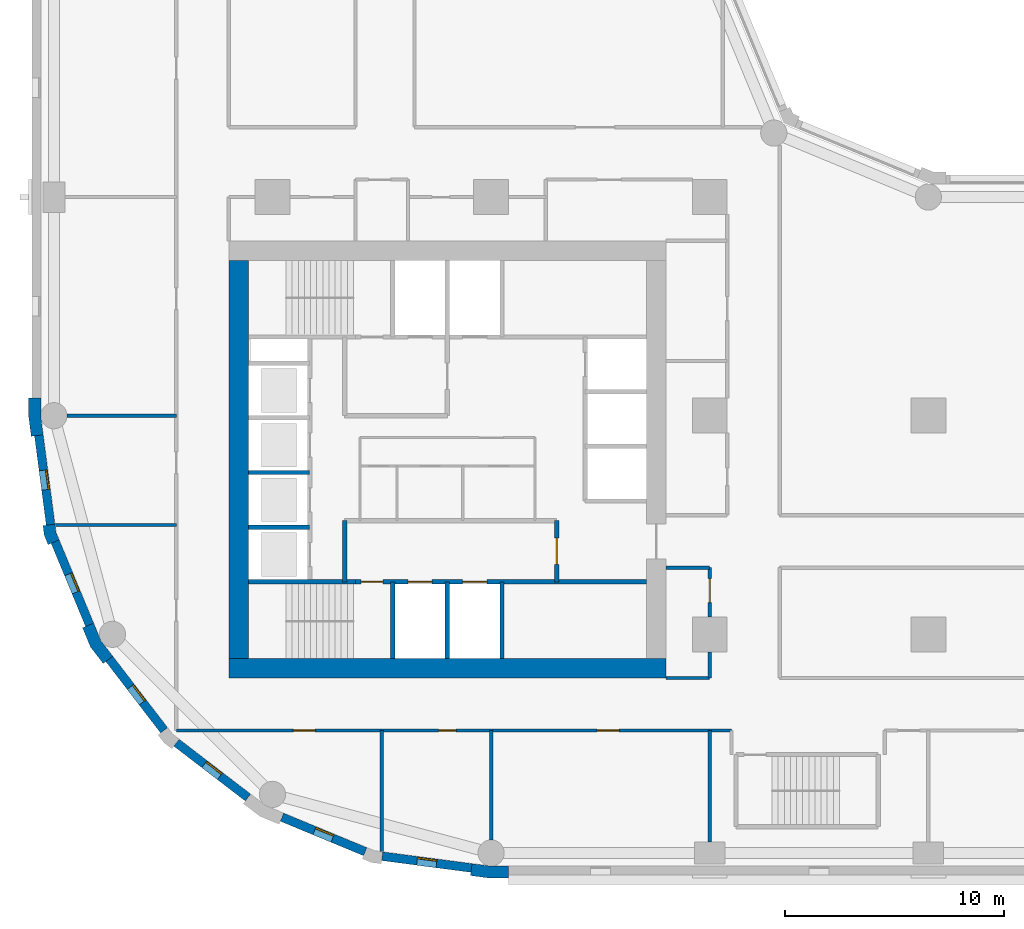
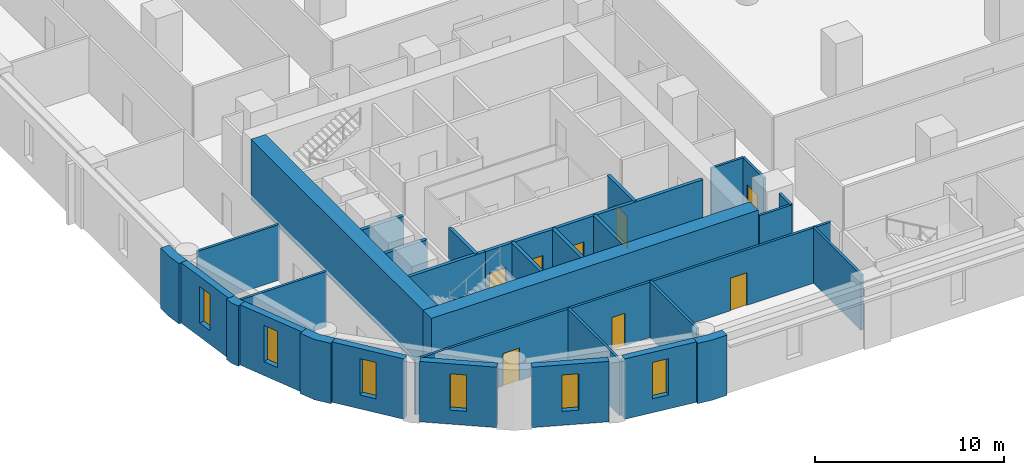
# One storey, part 2 of 10: 31 walls, 8 doors, 6 windows, 14 openings.
"""IFC4 building model written with IfcOpenShell, lengths in metres."""

from ifc_helpers import new_model, si_unit, direction, frame, frame_2d, origin, place, context, subcontext, project, spatial, polyline, rectangle, outline, extrude, material, layer, layer_set, type_object, element, fill, save


model = new_model("IFC4")

# Units and contexts
model_context = context("Model", 3, precision=1e-05, world=origin(), true_north=direction((0.0, 1.0)))
body_context = subcontext(model_context, "Body", "Model", "MODEL_VIEW")
ifc_project = project(units=[si_unit("LENGTHUNIT", "METRE"), si_unit("AREAUNIT", "SQUARE_METRE"), si_unit("VOLUMEUNIT", "CUBIC_METRE"), si_unit("PLANEANGLEUNIT", "RADIAN"), si_unit("MASSUNIT", "GRAM", prefix="KILO")], contexts=[model_context])

# Site, building, storey
site_placement = place(None, origin())
site = spatial("IfcSite", under=ifc_project, at=site_placement, CompositionType="ELEMENT")
building_placement = place(site_placement, origin())
building = spatial("IfcBuilding", under=site, at=building_placement, Name="Qaws Garden Tower", CompositionType="ELEMENT")
storey_placement = place(building_placement, frame((0.0, 0.0, 54.89990234375)))
storey = spatial("IfcBuildingStorey", under=building, at=storey_placement, Name="L13", CompositionType="ELEMENT", Elevation=54.89990234375)

# Wall, opening, window
ifc_material_1 = material(Name="Clay facing brick masonry", Category="masonry")
ifc_layer_1 = layer(ifc_material_1, 0.39990234375)
ifc_layer_set_1 = layer_set([ifc_layer_1], Name="Clay facing brick masonry")
wall_type_1 = type_object("IfcWallType", Name="Brick infill wall 400", PredefinedType="SOLIDWALL", material=ifc_layer_set_1)
wall_1_placement = place(storey_placement, frame((-0.688720703125, 19.102294921875, 0.0), z_axis=(0.0, 0.0, 1.0), x_axis=(0.130514280502, -0.991446429508, 0.0)))
wall_1 = element("IfcWall", 1, at=wall_1_placement, inside=storey, type_object=wall_type_1, Name="E-L13-infill-27", PredefinedType="SOLIDWALL", context=body_context, shape_type="SweptSolid", body=[
    extrude(rectangle(XDim=4.120849609375, YDim=0.39990234375, at=frame_2d((2.060546875, 0.0))), origin(), (0.0, 0.0, 1.0), 3.900146484375),
])
opening_1_placement = place(wall_1_placement, frame((1.610595703125, 0.0, 0.89990234375)))
opening_1 = element("IfcOpeningElement", 2, at=opening_1_placement, cuts=wall_1, Name="Opening W09", PredefinedType="OPENING", context=body_context, shape_type="SweptSolid", body=[
    extrude(rectangle(XDim=0.89990234375, YDim=2.35009765625, at=frame_2d((0.449951171875, 1.175048828125))), frame((0.0, 0.2099609375, 0.0), z_axis=(0.0, -1.0, 0.0), x_axis=(1.0, 0.0, 0.0)), (0.0, 0.0, 1.0), 0.419921875),
])
ifc_material_2 = material(Name="Aluminium framed window, clear glazing", Category="aluminium")
window_type = type_object("IfcWindowType", Name="Slit window 900 x 2350", PartitioningType="SINGLE_PANEL", PredefinedType="WINDOW", material=ifc_material_2)
window_1_placement = place(opening_1_placement, origin())
window_1 = element("IfcWindow", 3, at=window_1_placement, inside=storey, type_object=window_type, Name="E-L13-window-27-0", OverallHeight=2.35009765625, OverallWidth=0.89990234375, PartitioningType="SINGLE_PANEL", PredefinedType="WINDOW", context=body_context, shape_type="SweptSolid", body=[
    extrude(rectangle(XDim=0.89990234375, YDim=2.35009765625, at=frame_2d((0.449951171875, 1.175048828125))), frame((0.0, 0.159912109375, 0.0), z_axis=(0.0, -1.0, 0.0), x_axis=(1.0, 0.0, 0.0)), (0.0, 0.0, 1.0), 0.06005859375),
])
fill(opening_1, window_1)

wall_2_placement = place(storey_placement, frame((0.05712890625, 14.240234375, 0.0), z_axis=(0.0, 0.0, 1.0), x_axis=(0.382721546029, -0.923863744394, 0.0)))
wall_2 = element("IfcWall", 4, at=wall_2_placement, inside=storey, type_object=wall_type_1, Name="E-L13-infill-28", PredefinedType="SOLIDWALL", context=body_context, shape_type="SweptSolid", body=[
    extrude(rectangle(XDim=4.120849609375, YDim=0.39990234375, at=frame_2d((2.060546875, 0.0))), origin(), (0.0, 0.0, 1.0), 3.900146484375),
])
opening_2_placement = place(wall_2_placement, frame((1.610595703125, 0.0, 0.89990234375)))
opening_2 = element("IfcOpeningElement", 5, at=opening_2_placement, cuts=wall_2, Name="Opening W09", PredefinedType="OPENING", context=body_context, shape_type="SweptSolid", body=[
    extrude(rectangle(XDim=0.89990234375, YDim=2.35009765625, at=frame_2d((0.449951171875, 1.175048828125))), frame((0.0, 0.2099609375, 0.0), z_axis=(0.0, -1.0, 0.0), x_axis=(1.0, 0.0, 0.0)), (0.0, 0.0, 1.0), 0.419921875),
])
window_2_placement = place(opening_2_placement, origin())
window_2 = element("IfcWindow", 6, at=window_2_placement, inside=storey, type_object=window_type, Name="E-L13-window-28-0", OverallHeight=2.35009765625, OverallWidth=0.89990234375, PartitioningType="SINGLE_PANEL", PredefinedType="WINDOW", context=body_context, shape_type="SweptSolid", body=[
    extrude(rectangle(XDim=0.89990234375, YDim=2.35009765625, at=frame_2d((0.449951171875, 1.175048828125))), frame((0.0, 0.159912109375, 0.0), z_axis=(0.0, -1.0, 0.0), x_axis=(1.0, 0.0, 0.0)), (0.0, 0.0, 1.0), 0.06005859375),
])
fill(opening_2, window_2)

wall_3_placement = place(storey_placement, frame((2.53173828125, 8.87841796875, 0.0), z_axis=(0.0, 0.0, 1.0), x_axis=(0.608759824817, -0.793354571229, 0.0)))
wall_3 = element("IfcWall", 7, at=wall_3_placement, inside=storey, type_object=wall_type_1, Name="E-L13-infill-29", PredefinedType="SOLIDWALL", context=body_context, shape_type="SweptSolid", body=[
    extrude(rectangle(XDim=4.12109375, YDim=0.39990234375, at=frame_2d((2.060546875, 0.0))), origin(), (0.0, 0.0, 1.0), 3.900146484375),
])
opening_3_placement = place(wall_3_placement, frame((1.610595703125, 0.0, 0.89990234375)))
opening_3 = element("IfcOpeningElement", 8, at=opening_3_placement, cuts=wall_3, Name="Opening W09", PredefinedType="OPENING", context=body_context, shape_type="SweptSolid", body=[
    extrude(rectangle(XDim=0.89990234375, YDim=2.35009765625, at=frame_2d((0.449951171875, 1.175048828125))), frame((0.0, 0.2099609375, 0.0), z_axis=(0.0, -1.0, 0.0), x_axis=(1.0, 0.0, 0.0)), (0.0, 0.0, 1.0), 0.419921875),
])
window_3_placement = place(opening_3_placement, origin())
window_3 = element("IfcWindow", 9, at=window_3_placement, inside=storey, type_object=window_type, Name="E-L13-window-29-0", OverallHeight=2.35009765625, OverallWidth=0.89990234375, PartitioningType="SINGLE_PANEL", PredefinedType="WINDOW", context=body_context, shape_type="SweptSolid", body=[
    extrude(rectangle(XDim=0.89990234375, YDim=2.35009765625, at=frame_2d((0.449951171875, 1.175048828125))), frame((0.0, 0.159912109375, 0.0), z_axis=(0.0, -1.0, 0.0), x_axis=(1.0, 0.0, 0.0)), (0.0, 0.0, 1.0), 0.06005859375),
])
fill(opening_3, window_3)

wall_4_placement = place(storey_placement, frame((5.60888671875, 5.04052734375, 0.0), z_axis=(0.0, 0.0, 1.0), x_axis=(0.793354571229, -0.608759824817, 0.0)))
wall_4 = element("IfcWall", 10, at=wall_4_placement, inside=storey, type_object=wall_type_1, Name="E-L13-infill-30", PredefinedType="SOLIDWALL", context=body_context, shape_type="SweptSolid", body=[
    extrude(rectangle(XDim=4.12109375, YDim=0.39990234375, at=frame_2d((2.060546875, 0.0))), origin(), (0.0, 0.0, 1.0), 3.900146484375),
])
opening_4_placement = place(wall_4_placement, frame((1.610595703125, 0.0, 0.89990234375)))
opening_4 = element("IfcOpeningElement", 11, at=opening_4_placement, cuts=wall_4, Name="Opening W09", PredefinedType="OPENING", context=body_context, shape_type="SweptSolid", body=[
    extrude(rectangle(XDim=0.89990234375, YDim=2.35009765625, at=frame_2d((0.449951171875, 1.175048828125))), frame((0.0, 0.2099609375, 0.0), z_axis=(0.0, -1.0, 0.0), x_axis=(1.0, 0.0, 0.0)), (0.0, 0.0, 1.0), 0.419921875),
])
window_4_placement = place(opening_4_placement, origin())
window_4 = element("IfcWindow", 12, at=window_4_placement, inside=storey, type_object=window_type, Name="E-L13-window-30-0", OverallHeight=2.35009765625, OverallWidth=0.89990234375, PartitioningType="SINGLE_PANEL", PredefinedType="WINDOW", context=body_context, shape_type="SweptSolid", body=[
    extrude(rectangle(XDim=0.89990234375, YDim=2.35009765625, at=frame_2d((0.449951171875, 1.175048828125))), frame((0.0, 0.159912109375, 0.0), z_axis=(0.0, -1.0, 0.0), x_axis=(1.0, 0.0, 0.0)), (0.0, 0.0, 1.0), 0.06005859375),
])
fill(opening_4, window_4)

wall_5_placement = place(storey_placement, frame((10.43310546875, 1.63427734375, 0.0), z_axis=(0.0, 0.0, 1.0), x_axis=(0.923863744394, -0.382721546029, 0.0)))
wall_5 = element("IfcWall", 13, at=wall_5_placement, inside=storey, type_object=wall_type_1, Name="E-L13-infill-31", PredefinedType="SOLIDWALL", context=body_context, shape_type="SweptSolid", body=[
    extrude(rectangle(XDim=4.120849609375, YDim=0.39990234375, at=frame_2d((2.060546875, 0.0))), origin(), (0.0, 0.0, 1.0), 3.900146484375),
])
opening_5_placement = place(wall_5_placement, frame((1.610595703125, 0.0, 0.89990234375)))
opening_5 = element("IfcOpeningElement", 14, at=opening_5_placement, cuts=wall_5, Name="Opening W09", PredefinedType="OPENING", context=body_context, shape_type="SweptSolid", body=[
    extrude(rectangle(XDim=0.89990234375, YDim=2.35009765625, at=frame_2d((0.449951171875, 1.175048828125))), frame((0.0, 0.2099609375, 0.0), z_axis=(0.0, -1.0, 0.0), x_axis=(1.0, 0.0, 0.0)), (0.0, 0.0, 1.0), 0.419921875),
])
window_5_placement = place(opening_5_placement, origin())
window_5 = element("IfcWindow", 15, at=window_5_placement, inside=storey, type_object=window_type, Name="E-L13-window-31-0", OverallHeight=2.35009765625, OverallWidth=0.89990234375, PartitioningType="SINGLE_PANEL", PredefinedType="WINDOW", context=body_context, shape_type="SweptSolid", body=[
    extrude(rectangle(XDim=0.89990234375, YDim=2.35009765625, at=frame_2d((0.449951171875, 1.175048828125))), frame((0.0, 0.159912109375, 0.0), z_axis=(0.0, -1.0, 0.0), x_axis=(1.0, 0.0, 0.0)), (0.0, 0.0, 1.0), 0.06005859375),
])
fill(opening_5, window_5)

wall_6_placement = place(storey_placement, frame((15.0166015625, -0.15087890625, 0.0), z_axis=(0.0, 0.0, 1.0), x_axis=(0.991446429508, -0.130514280502, 0.0)))
wall_6 = element("IfcWall", 16, at=wall_6_placement, inside=storey, type_object=wall_type_1, Name="E-L13-infill-32", PredefinedType="SOLIDWALL", context=body_context, shape_type="SweptSolid", body=[
    extrude(rectangle(XDim=4.120849609375, YDim=0.39990234375, at=frame_2d((2.060546875, 0.0))), origin(), (0.0, 0.0, 1.0), 3.900146484375),
])
opening_6_placement = place(wall_6_placement, frame((1.610595703125, 0.0, 0.89990234375)))
opening_6 = element("IfcOpeningElement", 17, at=opening_6_placement, cuts=wall_6, Name="Opening W09", PredefinedType="OPENING", context=body_context, shape_type="SweptSolid", body=[
    extrude(rectangle(XDim=0.89990234375, YDim=2.35009765625, at=frame_2d((0.449951171875, 1.175048828125))), frame((0.0, 0.2099609375, 0.0), z_axis=(0.0, -1.0, 0.0), x_axis=(1.0, 0.0, 0.0)), (0.0, 0.0, 1.0), 0.419921875),
])
window_6_placement = place(opening_6_placement, origin())
window_6 = element("IfcWindow", 18, at=window_6_placement, inside=storey, type_object=window_type, Name="E-L13-window-32-0", OverallHeight=2.35009765625, OverallWidth=0.89990234375, PartitioningType="SINGLE_PANEL", PredefinedType="WINDOW", context=body_context, shape_type="SweptSolid", body=[
    extrude(rectangle(XDim=0.89990234375, YDim=2.35009765625, at=frame_2d((0.449951171875, 1.175048828125))), frame((0.0, 0.159912109375, 0.0), z_axis=(0.0, -1.0, 0.0), x_axis=(1.0, 0.0, 0.0)), (0.0, 0.0, 1.0), 0.06005859375),
])
fill(opening_6, window_6)

# Walls
ifc_material_3 = material(Name="Clay facing brick masonry", Category="masonry")
ifc_layer_2 = layer(ifc_material_3, 0.550048828125)
ifc_layer_set_2 = layer_set([ifc_layer_2], Name="Clay facing brick masonry")
wall_type_2 = type_object("IfcWallType", Name="Brick kink pier 550 x 600", PredefinedType="SOLIDWALL", material=ifc_layer_set_2)
placement = place(storey_placement, origin())
element("IfcWall", 19, at=placement, inside=storey, type_object=wall_type_2, Name="E-L13-pier-28", PredefinedType="SOLIDWALL", context=body_context, shape_type="SweptSolid", body=[
    extrude(outline(polyline([(-0.34912109375, 14.990478515625), (-0.497802734375, 14.970947265625), (-0.43896484375, 14.5234375), (-0.26611328125, 14.1064453125), (-0.127685546875, 14.163818359375), (0.241943359375, 14.31689453125), (0.096923828125, 14.6669921875), (0.04736328125, 15.042724609375), (-0.34912109375, 14.990478515625)])), origin(), (0.0, 0.0, 1.0), 3.900146484375),
])
ifc_material_4 = material(Name="Clay facing brick masonry", Category="masonry")
ifc_layer_3 = layer(ifc_material_4, 0.550048828125)
ifc_layer_set_3 = layer_set([ifc_layer_3], Name="Clay facing brick masonry")
wall_type_3 = type_object("IfcWallType", Name="Brick pier 550 x 1600", PredefinedType="SOLIDWALL", material=ifc_layer_set_3)
element("IfcWall", 20, at=placement, inside=storey, type_object=wall_type_3, Name="E-L13-pier-00", PredefinedType="SOLIDWALL", context=body_context, shape_type="SweptSolid", body=[
    extrude(outline(polyline([(19.076416015625, -0.886962890625), (19.056640625, -1.03564453125), (19.924560546875, -1.14990234375), (20.800048828125, -1.14990234375), (20.800048828125, -1.0), (20.800048828125, -0.60009765625), (19.960693359375, -0.60009765625), (19.12841796875, -0.490478515625), (19.076416015625, -0.886962890625)])), origin(), (0.0, 0.0, 1.0), 3.900146484375),
])
element("IfcWall", 21, at=placement, inside=storey, type_object=wall_type_3, Name="E-L13-pier-27", PredefinedType="SOLIDWALL", context=body_context, shape_type="SweptSolid", body=[
    extrude(outline(polyline([(-1.0, 20.800048828125), (-1.14990234375, 20.800048828125), (-1.14990234375, 19.924560546875), (-1.03564453125, 19.056640625), (-0.886962890625, 19.076416015625), (-0.490478515625, 19.12841796875), (-0.60009765625, 19.960693359375), (-0.60009765625, 20.800048828125), (-1.0, 20.800048828125)])), origin(), (0.0, 0.0, 1.0), 3.900146484375),
])
element("IfcWall", 22, at=placement, inside=storey, type_object=wall_type_3, Name="E-L13-pier-29", PredefinedType="SOLIDWALL", context=body_context, shape_type="SweptSolid", body=[
    extrude(outline(polyline([(1.449462890625, 10.3564453125), (1.310791015625, 10.299072265625), (1.675048828125, 9.419921875), (2.254150390625, 8.665283203125), (2.373046875, 8.756591796875), (2.6904296875, 9.0), (2.1552734375, 9.697509765625), (1.819091796875, 10.509521484375), (1.449462890625, 10.3564453125)])), origin(), (0.0, 0.0, 1.0), 3.900146484375),
])
ifc_material_5 = material(Name="Concrete C80", Category="concrete")
ifc_layer_4 = layer(ifc_material_5, 0.199951171875)
ifc_layer_set_4 = layer_set([ifc_layer_4], Name="Concrete C80")
wall_type_4 = type_object("IfcWallType", Name="Core shaft wall 200 C80", PredefinedType="SHEAR", material=ifc_layer_set_4)
wall_11_placement = place(storey_placement, frame((8.89990234375, 12.39990234375, 0.0), z_axis=(0.0, 0.0, 1.0), x_axis=(1.0, 0.0, 0.0)))
element("IfcWall", 23, at=wall_11_placement, inside=storey, type_object=wall_type_4, Name="Shaft wall", PredefinedType="SHEAR", context=body_context, shape_type="SweptSolid", body=[
    extrude(rectangle(XDim=4.900146484375, YDim=0.199951171875, at=frame_2d((2.4501953125, 0.0))), origin(), (0.0, 0.0, 1.0), 3.580078125),
])

# Wall, openings, doors
wall_12_placement = place(storey_placement, frame((13.800048828125, 12.39990234375, 0.0), z_axis=(0.0, 0.0, 1.0), x_axis=(1.0, 0.0, 0.0)))
wall_12 = element("IfcWall", 24, at=wall_12_placement, inside=storey, type_object=wall_type_4, Name="Shaft wall", PredefinedType="SHEAR", context=body_context, shape_type="SweptSolid", body=[
    extrude(rectangle(XDim=13.300048828125, YDim=0.199951171875, at=frame_2d((6.64990234375, 0.0))), origin(), (0.0, 0.0, 1.0), 3.580078125),
])
opening_7_placement = place(wall_12_placement, frame((2.39990234375, 0.0, 0.0)))
opening_7 = element("IfcOpeningElement", 25, at=opening_7_placement, cuts=wall_12, Name="Opening LD06", PredefinedType="OPENING", context=body_context, shape_type="SweptSolid", body=[
    extrude(rectangle(XDim=1.10009765625, YDim=2.10009765625, at=frame_2d((0.550048828125, 1.050048828125))), frame((0.0, 0.10986328125, 0.0), z_axis=(0.0, -1.0, 0.0), x_axis=(1.0, 0.0, 0.0)), (0.0, 0.0, 1.0), 0.219970703125),
])
opening_8_placement = place(wall_12_placement, frame((4.89990234375, 0.0, 0.0)))
opening_8 = element("IfcOpeningElement", 26, at=opening_8_placement, cuts=wall_12, Name="Opening LD07", PredefinedType="OPENING", context=body_context, shape_type="SweptSolid", body=[
    extrude(rectangle(XDim=1.10009765625, YDim=2.10009765625, at=frame_2d((0.550048828125, 1.050048828125))), frame((0.0, 0.10986328125, 0.0), z_axis=(0.0, -1.0, 0.0), x_axis=(1.0, 0.0, 0.0)), (0.0, 0.0, 1.0), 0.219970703125),
])
opening_9_placement = place(wall_12_placement, frame((0.25, 0.0, 0.0)))
opening_9 = element("IfcOpeningElement", 27, at=opening_9_placement, cuts=wall_12, Name="Opening SD10", PredefinedType="OPENING", context=body_context, shape_type="SweptSolid", body=[
    extrude(rectangle(XDim=1.0, YDim=2.10009765625, at=frame_2d((0.5, 1.050048828125))), frame((0.0, 0.10986328125, 0.0), z_axis=(0.0, -1.0, 0.0), x_axis=(1.0, 0.0, 0.0)), (0.0, 0.0, 1.0), 0.219970703125),
])
ifc_material_6 = material(Name="Steel S235", Category="steel")
door_type_1 = type_object("IfcDoorType", Name="Landing door 1100x2100", OperationType="DOUBLE_DOOR_SLIDING", PredefinedType="DOOR", material=ifc_material_6)
door_1_placement = place(opening_7_placement, origin())
door_1 = element("IfcDoor", 28, at=door_1_placement, inside=storey, type_object=door_type_1, Name="Lift FF1 landing door", OperationType="DOUBLE_DOOR_SLIDING", OverallHeight=2.10009765625, OverallWidth=1.10009765625, PredefinedType="DOOR", context=body_context, shape_type="SweptSolid", body=[
    extrude(rectangle(XDim=1.10009765625, YDim=2.10009765625, at=frame_2d((0.550048828125, 1.050048828125))), frame((0.0, 0.02490234375, 0.0), z_axis=(0.0, -1.0, 0.0), x_axis=(1.0, 0.0, 0.0)), (0.0, 0.0, 1.0), 0.050048828125),
])
fill(opening_7, door_1)
door_2_placement = place(opening_8_placement, origin())
door_2 = element("IfcDoor", 29, at=door_2_placement, inside=storey, type_object=door_type_1, Name="Lift FF2 landing door", OperationType="DOUBLE_DOOR_SLIDING", OverallHeight=2.10009765625, OverallWidth=1.10009765625, PredefinedType="DOOR", context=body_context, shape_type="SweptSolid", body=[
    extrude(rectangle(XDim=1.10009765625, YDim=2.10009765625, at=frame_2d((0.550048828125, 1.050048828125))), frame((0.0, 0.02490234375, 0.0), z_axis=(0.0, -1.0, 0.0), x_axis=(1.0, 0.0, 0.0)), (0.0, 0.0, 1.0), 0.050048828125),
])
fill(opening_8, door_2)
ifc_material_7 = material(Name="Steel S235", Category="steel")
door_type_2 = type_object("IfcDoorType", Name="Stair door 1000x2100", OperationType="SINGLE_SWING_RIGHT", PredefinedType="DOOR", material=ifc_material_7)
door_3_placement = place(opening_9_placement, frame((1.0, 0.0, 0.0), z_axis=(0.0, 0.0, 1.0), x_axis=(-1.0, 0.0, 0.0)))
door_3 = element("IfcDoor", 30, at=door_3_placement, inside=storey, type_object=door_type_2, Name="Stair 1 door", OperationType="SINGLE_SWING_LEFT", OverallHeight=2.10009765625, OverallWidth=1.0, PredefinedType="DOOR", context=body_context, shape_type="SweptSolid", body=[
    extrude(rectangle(XDim=1.0, YDim=2.10009765625, at=frame_2d((0.5, 1.050048828125))), frame((0.0, 0.02490234375, 0.0), z_axis=(0.0, -1.0, 0.0), x_axis=(1.0, 0.0, 0.0)), (0.0, 0.0, 1.0), 0.050048828125),
])
fill(opening_9, door_3)

# Walls
for number, where, z_axis, x_axis, name in (
    (31, (8.89990234375, 14.89990234375, 0.0), (0.0, 0.0, 1.0), (1.0, 0.0, 0.0), "Shaft wall"),
    (32, (8.89990234375, 17.39990234375, 0.0), (0.0, 0.0, 1.0), (1.0, 0.0, 0.0), "Shaft wall"),
    (33, (13.300048828125, 12.39990234375, 0.0), (0.0, 0.0, 1.0), (0.0, 1.0, 0.0), "Shaft wall"),
):
    element("IfcWall", number, at=place(storey_placement, frame(where, z_axis=z_axis, x_axis=x_axis)), inside=storey, type_object=wall_type_4, Name=name, PredefinedType="SHEAR", context=body_context, shape_type="SweptSolid", body=[
        extrude(rectangle(XDim=2.800048828125, YDim=0.199951171875, at=frame_2d((1.39990234375, 0.0))), origin(), (0.0, 0.0, 1.0), 3.580078125),
    ])
for number, where, z_axis, x_axis, name in (
    (34, (15.5, 8.89990234375, 0.0), (0.0, 0.0, 1.0), (0.0, 1.0, 0.0), "Shaft wall"),
    (35, (18.0, 8.89990234375, 0.0), (0.0, 0.0, 1.0), (0.0, 1.0, 0.0), "Shaft wall"),
    (36, (20.5, 8.89990234375, 0.0), (0.0, 0.0, 1.0), (0.0, 1.0, 0.0), "Shaft wall"),
):
    element("IfcWall", number, at=place(storey_placement, frame(where, z_axis=z_axis, x_axis=x_axis)), inside=storey, type_object=wall_type_4, Name=name, PredefinedType="SHEAR", context=body_context, shape_type="SweptSolid", body=[
        extrude(rectangle(XDim=3.5, YDim=0.199951171875, at=frame_2d((1.75, 0.0))), origin(), (0.0, 0.0, 1.0), 3.580078125),
    ])

# Wall, opening, door
wall_13_placement = place(storey_placement, frame((23.0, 12.39990234375, 0.0), z_axis=(0.0, 0.0, 1.0), x_axis=(0.0, 1.0, 0.0)))
wall_13 = element("IfcWall", 37, at=wall_13_placement, inside=storey, type_object=wall_type_4, Name="Shaft wall", PredefinedType="SHEAR", context=body_context, shape_type="SweptSolid", body=[
    extrude(rectangle(XDim=2.800048828125, YDim=0.199951171875, at=frame_2d((1.39990234375, 0.0))), origin(), (0.0, 0.0, 1.0), 3.580078125),
])
opening_10_placement = place(wall_13_placement, frame((0.800048828125, 0.0, 0.0)))
opening_10 = element("IfcOpeningElement", 38, at=opening_10_placement, cuts=wall_13, Name="Opening FD15", PredefinedType="OPENING", context=body_context, shape_type="SweptSolid", body=[
    extrude(rectangle(XDim=1.199951171875, YDim=2.10009765625, at=frame_2d((0.60009765625, 1.050048828125))), frame((0.0, 0.10986328125, 0.0), z_axis=(0.0, -1.0, 0.0), x_axis=(1.0, 0.0, 0.0)), (0.0, 0.0, 1.0), 0.219970703125),
])
ifc_material_8 = material(Name="Steel S235", Category="steel")
door_type_3 = type_object("IfcDoorType", Name="Lobby door 1200x2100", OperationType="DOUBLE_DOOR_SINGLE_SWING", PredefinedType="DOOR", material=ifc_material_8)
door_4_placement = place(opening_10_placement, origin())
door_4 = element("IfcDoor", 39, at=door_4_placement, inside=storey, type_object=door_type_3, Name="Fire-fighting lobby door", OperationType="DOUBLE_DOOR_SINGLE_SWING", OverallHeight=2.10009765625, OverallWidth=1.199951171875, PredefinedType="DOOR", context=body_context, shape_type="SweptSolid", body=[
    extrude(rectangle(XDim=1.199951171875, YDim=2.10009765625, at=frame_2d((0.60009765625, 1.050048828125))), frame((0.0, 0.02490234375, 0.0), z_axis=(0.0, -1.0, 0.0), x_axis=(1.0, 0.0, 0.0)), (0.0, 0.0, 1.0), 0.050048828125),
])
fill(opening_10, door_4)

# Walls
ifc_material_9 = material(Name="Concrete C80", Category="concrete")
ifc_layer_5 = layer(ifc_material_9, 0.89990234375)
ifc_layer_set_5 = layer_set([ifc_layer_5], Name="Concrete C80")
wall_type_5 = type_object("IfcWallType", Name="Core wall 900 C80", PredefinedType="SHEAR", material=ifc_layer_set_5)
wall_14_placement = place(storey_placement, frame((8.0, 8.449951171875, 0.0), z_axis=(0.0, 0.0, 1.0), x_axis=(1.0, 0.0, 0.0)))
element("IfcWall", 40, at=wall_14_placement, inside=storey, type_object=wall_type_5, Name="Core wall L13 south", PredefinedType="SHEAR", context=body_context, shape_type="SweptSolid", body=[
    extrude(rectangle(XDim=20.0, YDim=0.89990234375, at=frame_2d((10.0, 0.0))), origin(), (0.0, 0.0, 1.0), 3.900146484375),
])
wall_15_placement = place(storey_placement, frame((8.449951171875, 27.10009765625, 0.0), z_axis=(0.0, 0.0, 1.0), x_axis=(0.0, -1.0, 0.0)))
element("IfcWall", 41, at=wall_15_placement, inside=storey, type_object=wall_type_5, Name="Core wall L13 west", PredefinedType="SHEAR", context=body_context, shape_type="SweptSolid", body=[
    extrude(rectangle(XDim=18.2001953125, YDim=0.89990234375, at=frame_2d((9.10009765625, 0.0))), origin(), (0.0, 0.0, 1.0), 3.900146484375),
])
ifc_material_10 = material(Name="Gypsum board partition")
ifc_layer_6 = layer(ifc_material_10, 0.14990234375)
ifc_layer_set_6 = layer_set([ifc_layer_6], Name="Gypsum board partition")
wall_type_6 = type_object("IfcWallType", Name="PARTITION 150 EI 60", PredefinedType="PARTITIONING", material=ifc_layer_set_6)
wall_16_placement = place(storey_placement, frame((15.0, 0.06298828125, 0.0), z_axis=(0.0, 0.0, 1.0), x_axis=(0.0, 1.0, 0.0)))
element("IfcWall", 42, at=wall_16_placement, inside=storey, type_object=wall_type_6, Name="O-L13-wall-007", PredefinedType="PARTITIONING", context=body_context, shape_type="SweptSolid", body=[
    extrude(rectangle(XDim=5.537109375, YDim=0.14990234375, at=frame_2d((2.7685546875, 0.0))), origin(), (0.0, 0.0, 1.0), 3.580078125),
])
wall_17_placement = place(storey_placement, frame((20.0, 0.60009765625, 0.0), z_axis=(0.0, 0.0, 1.0), x_axis=(0.0, 1.0, 0.0)))
element("IfcWall", 43, at=wall_17_placement, inside=storey, type_object=wall_type_6, Name="O-L13-wall-011", PredefinedType="PARTITIONING", context=body_context, shape_type="SweptSolid", body=[
    extrude(rectangle(XDim=5.0, YDim=0.14990234375, at=frame_2d((2.5, 0.0))), origin(), (0.0, 0.0, 1.0), 3.580078125),
])
wall_18_placement = place(storey_placement, frame((30.0, 0.5, 0.0), z_axis=(0.0, 0.0, 1.0), x_axis=(0.0, 1.0, 0.0)))
element("IfcWall", 44, at=wall_18_placement, inside=storey, type_object=wall_type_6, Name="O-L13-wall-014", PredefinedType="PARTITIONING", context=body_context, shape_type="SweptSolid", body=[
    extrude(rectangle(XDim=5.10009765625, YDim=0.14990234375, at=frame_2d((2.550048828125, 0.0))), origin(), (0.0, 0.0, 1.0), 3.580078125),
])
wall_19_placement = place(storey_placement, frame((30.0, 8.0, 0.0), z_axis=(0.0, 0.0, 1.0), x_axis=(0.0, 1.0, 0.0)))
element("IfcWall", 45, at=wall_19_placement, inside=storey, type_object=wall_type_6, Name="O-L13-wall-015", PredefinedType="PARTITIONING", context=body_context, shape_type="SweptSolid", body=[
    extrude(rectangle(XDim=1.199951171875, YDim=0.14990234375, at=frame_2d((0.60009765625, 0.0))), origin(), (0.0, 0.0, 1.0), 3.580078125),
])

# Wall, opening, door
wall_20_placement = place(storey_placement, frame((30.0, 10.800048828125, 0.0), z_axis=(0.0, 0.0, 1.0), x_axis=(0.0, 1.0, 0.0)))
wall_20 = element("IfcWall", 46, at=wall_20_placement, inside=storey, type_object=wall_type_6, Name="O-L13-wall-016", PredefinedType="PARTITIONING", context=body_context, shape_type="SweptSolid", body=[
    extrude(rectangle(XDim=2.25, YDim=0.14990234375, at=frame_2d((1.125, 0.0))), origin(), (0.0, 0.0, 1.0), 3.580078125),
])
opening_11_placement = place(wall_20_placement, frame((0.64990234375, 0.0, 0.0)))
opening_11 = element("IfcOpeningElement", 47, at=opening_11_placement, cuts=wall_20, Name="Opening A407", PredefinedType="OPENING", context=body_context, shape_type="SweptSolid", body=[
    extrude(rectangle(XDim=1.10009765625, YDim=2.10009765625, at=frame_2d((0.550048828125, 1.050048828125))), frame((0.0, 0.0849609375, 0.0), z_axis=(0.0, -1.0, 0.0), x_axis=(1.0, 0.0, 0.0)), (0.0, 0.0, 1.0), 0.169921875),
])
ifc_material_11 = material(Name="Timber door leaf", Category="wood")
door_type_4 = type_object("IfcDoorType", Name="SERVICE ROOM DOOR 1100 X 2100", OperationType="SINGLE_SWING_LEFT", PredefinedType="DOOR", material=ifc_material_11)
door_5_placement = place(opening_11_placement, origin())
door_5 = element("IfcDoor", 48, at=door_5_placement, inside=storey, type_object=door_type_4, Name="O-L13-door-007", OperationType="SINGLE_SWING_RIGHT", OverallHeight=2.10009765625, OverallWidth=1.10009765625, PredefinedType="DOOR", context=body_context, shape_type="SweptSolid", body=[
    extrude(rectangle(XDim=1.10009765625, YDim=2.10009765625, at=frame_2d((0.550048828125, 1.050048828125))), frame((0.0, 0.02490234375, 0.0), z_axis=(0.0, -1.0, 0.0), x_axis=(1.0, 0.0, 0.0)), (0.0, 0.0, 1.0), 0.050048828125),
])
fill(opening_11, door_5)

# Wall, openings, doors
wall_21_placement = place(storey_placement, frame((5.60009765625, 5.60009765625, 0.0), z_axis=(0.0, 0.0, 1.0), x_axis=(1.0, 0.0, 0.0)))
wall_21 = element("IfcWall", 49, at=wall_21_placement, inside=storey, type_object=wall_type_6, Name="O-L13-wall-029", PredefinedType="PARTITIONING", context=body_context, shape_type="SweptSolid", body=[
    extrude(rectangle(XDim=25.39990234375, YDim=0.14990234375, at=frame_2d((12.699951171875, 0.0))), origin(), (0.0, 0.0, 1.0), 3.580078125),
])
opening_12_placement = place(wall_21_placement, frame((5.35009765625, 0.0, 0.0)))
opening_12 = element("IfcOpeningElement", 50, at=opening_12_placement, cuts=wall_21, Name="Opening A421", PredefinedType="OPENING", context=body_context, shape_type="SweptSolid", body=[
    extrude(rectangle(XDim=1.0, YDim=2.10009765625, at=frame_2d((0.5, 1.050048828125))), frame((0.0, 0.0849609375, 0.0), z_axis=(0.0, -1.0, 0.0), x_axis=(1.0, 0.0, 0.0)), (0.0, 0.0, 1.0), 0.169921875),
])
opening_13_placement = place(wall_21_placement, frame((12.0, 0.0, 0.0)))
opening_13 = element("IfcOpeningElement", 51, at=opening_13_placement, cuts=wall_21, Name="Opening A422", PredefinedType="OPENING", context=body_context, shape_type="SweptSolid", body=[
    extrude(rectangle(XDim=0.800048828125, YDim=2.10009765625, at=frame_2d((0.39990234375, 1.050048828125))), frame((0.0, 0.0849609375, 0.0), z_axis=(0.0, -1.0, 0.0), x_axis=(1.0, 0.0, 0.0)), (0.0, 0.0, 1.0), 0.169921875),
])
opening_14_placement = place(wall_21_placement, frame((19.25, 0.0, 0.0)))
opening_14 = element("IfcOpeningElement", 52, at=opening_14_placement, cuts=wall_21, Name="Opening A423", PredefinedType="OPENING", context=body_context, shape_type="SweptSolid", body=[
    extrude(rectangle(XDim=1.0, YDim=2.10009765625, at=frame_2d((0.5, 1.050048828125))), frame((0.0, 0.0849609375, 0.0), z_axis=(0.0, -1.0, 0.0), x_axis=(1.0, 0.0, 0.0)), (0.0, 0.0, 1.0), 0.169921875),
])
ifc_material_12 = material(Name="Timber door leaf", Category="wood")
door_type_5 = type_object("IfcDoorType", Name="STORE DOOR 800 X 2100", OperationType="SINGLE_SWING_LEFT", PredefinedType="DOOR", material=ifc_material_12)
door_6_placement = place(opening_13_placement, frame((0.800048828125, 0.0, 0.0), z_axis=(0.0, 0.0, 1.0), x_axis=(-1.0, 0.0, 0.0)))
door_6 = element("IfcDoor", 53, at=door_6_placement, inside=storey, type_object=door_type_5, Name="O-L13-door-022", OperationType="SINGLE_SWING_LEFT", OverallHeight=2.10009765625, OverallWidth=0.800048828125, PredefinedType="DOOR", context=body_context, shape_type="SweptSolid", body=[
    extrude(rectangle(XDim=0.800048828125, YDim=2.10009765625, at=frame_2d((0.39990234375, 1.050048828125))), frame((0.0, 0.02490234375, 0.0), z_axis=(0.0, -1.0, 0.0), x_axis=(1.0, 0.0, 0.0)), (0.0, 0.0, 1.0), 0.050048828125),
])
fill(opening_13, door_6)
ifc_material_13 = material(Name="Timber door leaf", Category="wood")
door_type_6 = type_object("IfcDoorType", Name="TENANCY ENTRANCE DOOR 1000 X 2100", OperationType="SINGLE_SWING_LEFT", PredefinedType="DOOR", material=ifc_material_13)
door_7_placement = place(opening_12_placement, frame((1.0, 0.0, 0.0), z_axis=(0.0, 0.0, 1.0), x_axis=(-1.0, 0.0, 0.0)))
door_7 = element("IfcDoor", 54, at=door_7_placement, inside=storey, type_object=door_type_6, Name="O-L13-door-021", OperationType="SINGLE_SWING_LEFT", OverallHeight=2.10009765625, OverallWidth=1.0, PredefinedType="DOOR", context=body_context, shape_type="SweptSolid", body=[
    extrude(rectangle(XDim=1.0, YDim=2.10009765625, at=frame_2d((0.5, 1.050048828125))), frame((0.0, 0.02490234375, 0.0), z_axis=(0.0, -1.0, 0.0), x_axis=(1.0, 0.0, 0.0)), (0.0, 0.0, 1.0), 0.050048828125),
])
fill(opening_12, door_7)
door_8_placement = place(opening_14_placement, frame((1.0, 0.0, 0.0), z_axis=(0.0, 0.0, 1.0), x_axis=(-1.0, 0.0, 0.0)))
door_8 = element("IfcDoor", 55, at=door_8_placement, inside=storey, type_object=door_type_6, Name="O-L13-door-023", OperationType="SINGLE_SWING_LEFT", OverallHeight=2.10009765625, OverallWidth=1.0, PredefinedType="DOOR", context=body_context, shape_type="SweptSolid", body=[
    extrude(rectangle(XDim=1.0, YDim=2.10009765625, at=frame_2d((0.5, 1.050048828125))), frame((0.0, 0.02490234375, 0.0), z_axis=(0.0, -1.0, 0.0), x_axis=(1.0, 0.0, 0.0)), (0.0, 0.0, 1.0), 0.050048828125),
])
fill(opening_14, door_8)

# Walls
for number, where, z_axis, x_axis, name in (
    (56, (28.0, 8.0, 0.0), (0.0, 0.0, 1.0), (1.0, 0.0, 0.0), "O-L13-wall-031"),
    (57, (28.0, 13.050048828125, 0.0), (0.0, 0.0, 1.0), (1.0, 0.0, 0.0), "O-L13-wall-033"),
):
    element("IfcWall", number, at=place(storey_placement, frame(where, z_axis=z_axis, x_axis=x_axis)), inside=storey, type_object=wall_type_6, Name=name, PredefinedType="PARTITIONING", context=body_context, shape_type="SweptSolid", body=[
        extrude(rectangle(XDim=2.0, YDim=0.14990234375, at=frame_2d((1.0, 0.0))), origin(), (0.0, 0.0, 1.0), 3.580078125),
    ])
wall_22_placement = place(storey_placement, frame((0.06298828125, 15.0, 0.0), z_axis=(0.0, 0.0, 1.0), x_axis=(1.0, 0.0, 0.0)))
element("IfcWall", 58, at=wall_22_placement, inside=storey, type_object=wall_type_6, Name="O-L13-wall-035", PredefinedType="PARTITIONING", context=body_context, shape_type="SweptSolid", body=[
    extrude(rectangle(XDim=5.537109375, YDim=0.14990234375, at=frame_2d((2.7685546875, 0.0))), origin(), (0.0, 0.0, 1.0), 3.580078125),
])
wall_23_placement = place(storey_placement, frame((0.60009765625, 20.0, 0.0), z_axis=(0.0, 0.0, 1.0), x_axis=(1.0, 0.0, 0.0)))
element("IfcWall", 59, at=wall_23_placement, inside=storey, type_object=wall_type_6, Name="O-L13-wall-038", PredefinedType="PARTITIONING", context=body_context, shape_type="SweptSolid", body=[
    extrude(rectangle(XDim=5.0, YDim=0.14990234375, at=frame_2d((2.5, 0.0))), origin(), (0.0, 0.0, 1.0), 3.580078125),
])

save(model, "model.ifc")
